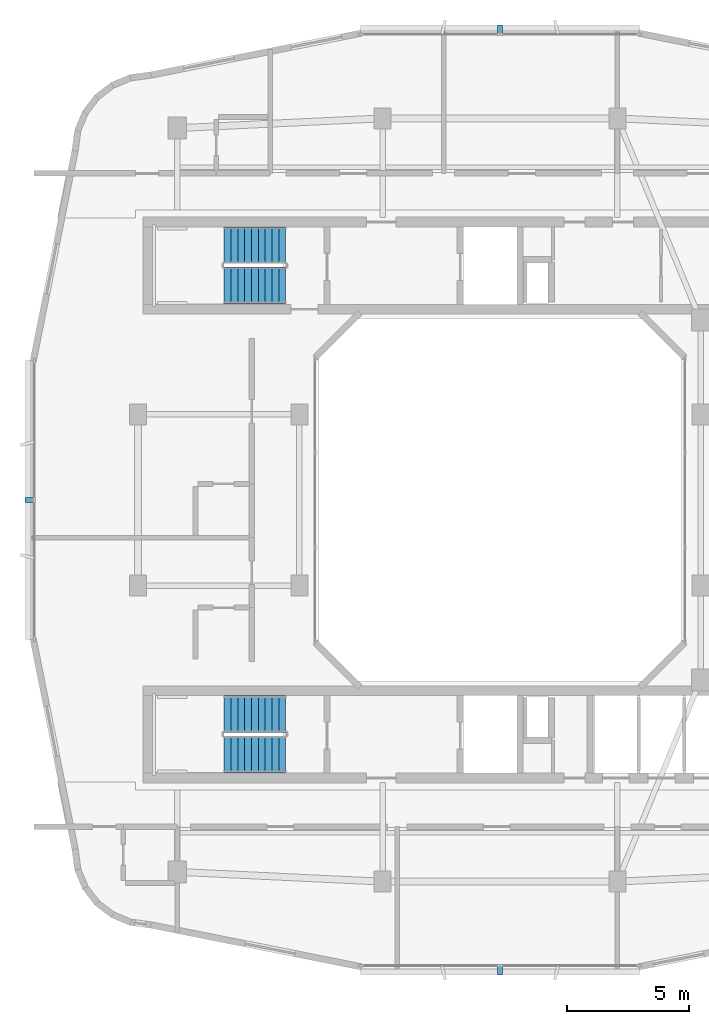
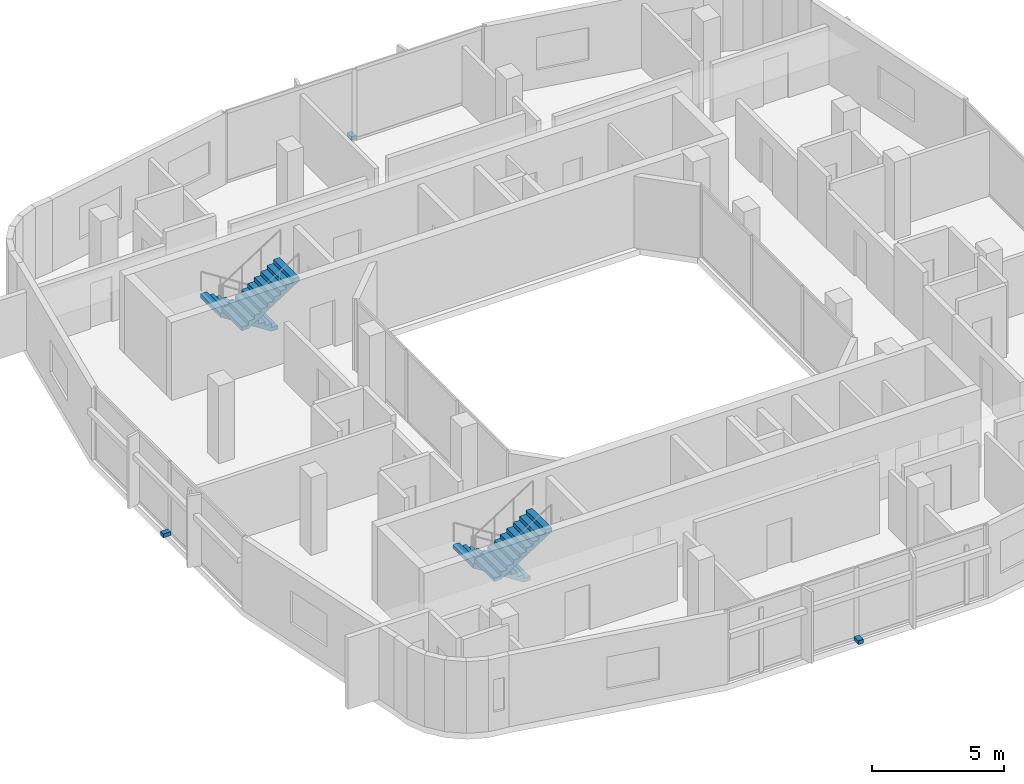
# One storey, part 10 of 14: 4 stair flights, 3 discrete accessories, 2 elements without a shape of their own.
"""IFC4 building model written with IfcOpenShell, lengths in metres."""

from ifc_helpers import new_model, si_unit, derived_unit, direction, frame, origin, origin_2d, place, context, subcontext, project, spatial, polyline, rectangle, outline, extrude, material, type_object, element, aggregate, save


model = new_model("IFC4")

# Units and contexts
model_context = context("Model", 3, precision=1e-05, world=origin(), true_north=direction((0.0, 1.0)))
body_context = subcontext(model_context, "Body", "Model", "MODEL_VIEW")
ifc_project = project(units=[si_unit("LENGTHUNIT", "METRE"), si_unit("AREAUNIT", "SQUARE_METRE"), si_unit("VOLUMEUNIT", "CUBIC_METRE"), si_unit("PLANEANGLEUNIT", "RADIAN"), si_unit("MASSUNIT", "GRAM", prefix="KILO"), derived_unit("THERMALTRANSMITTANCEUNIT", [(si_unit("POWERUNIT", "WATT"), 1), (si_unit("LENGTHUNIT", "METRE"), -2), (si_unit("THERMODYNAMICTEMPERATUREUNIT", "KELVIN"), -1)])], contexts=[model_context])

# Site, building, storey
site_placement = place(None, origin())
site = spatial("IfcSite", under=ifc_project, at=site_placement, CompositionType="ELEMENT")
building_placement = place(site_placement, origin())
building = spatial("IfcBuilding", under=site, at=building_placement, Name="Kivonza Crest Hotel", CompositionType="ELEMENT")
storey_placement = place(building_placement, frame((0.0, 0.0, 213.5)))
storey = spatial("IfcBuildingStorey", under=building, at=storey_placement, Name="L58", CompositionType="ELEMENT", Elevation=213.5)

# Stair, stair flights
ifc_material_1 = material(Name="Concrete C40/50", Category="concrete")
stair_type = type_object("IfcStairType", Name="ST-DL-20R", PredefinedType="HALF_TURN_STAIR", material=ifc_material_1)
stair_1_placement = place(storey_placement, origin())
stair_1 = element("IfcStair", 1, at=stair_1_placement, inside=storey, type_object=stair_type, Name="L58 Protected Exit Stair ST-T1-N", PredefinedType="HALF_TURN_STAIR")
stair_flight_type = type_object("IfcStairFlightType", Name="SFL-RC-10R", PredefinedType="STRAIGHT", material=ifc_material_1)
stair_flight_1_placement = place(storey_placement, frame((12.239990234375, 35.409912109375, 0.0), z_axis=(0.0, 0.0, 1.0), x_axis=(-1.0, 0.0, 0.0)))
stair_flight_1 = element("IfcStairFlight", 2, at=stair_flight_1_placement, type_object=stair_flight_type, Name="ST-T1-N flight 1", NumberOfRisers=10, NumberOfTreads=9, PredefinedType="STRAIGHT", RiserHeight=0.18, TreadLength=0.28, context=body_context, shape_type="SweptSolid", body=[
    extrude(outline(polyline([(0.0, 0.0), (0.0, 0.179931640625), (0.280029296875, 0.179931640625), (0.280029296875, 0.360107421875), (0.56005859375, 0.360107421875), (0.56005859375, 0.5400390625), (0.840087890625, 0.5400390625), (0.840087890625, 0.719970703125), (1.1201171875, 0.719970703125), (1.1201171875, 0.89990234375), (1.39990234375, 0.89990234375), (1.39990234375, 1.080078125), (1.679931640625, 1.080078125), (1.679931640625, 1.260009765625), (1.9599609375, 1.260009765625), (1.9599609375, 1.43994140625), (2.239990234375, 1.43994140625), (2.239990234375, 1.6201171875), (2.52001953125, 1.6201171875), (2.52001953125, 1.800048828125), (2.52001953125, 1.44189453125), (0.277099609375, 0.0), (0.0, 0.0)])), frame((0.0, 0.75, 0.0), z_axis=(0.0, -1.0, 0.0), x_axis=(1.0, 0.0, 0.0)), (0.0, 0.0, 1.0), 1.5),
])
stair_flight_2_placement = place(storey_placement, frame((9.719970703125, 33.77001953125, 1.800048828125), z_axis=(0.0, 0.0, 1.0), x_axis=(1.0, 0.0, 0.0)))
stair_flight_2 = element("IfcStairFlight", 3, at=stair_flight_2_placement, type_object=stair_flight_type, Name="ST-T1-N flight 2", NumberOfRisers=10, NumberOfTreads=9, PredefinedType="STRAIGHT", RiserHeight=0.18, TreadLength=0.28, context=body_context, shape_type="SweptSolid", body=[
    extrude(outline(polyline([(0.0, 0.0), (0.0, 0.179931640625), (0.280029296875, 0.179931640625), (0.280029296875, 0.360107421875), (0.56005859375, 0.360107421875), (0.56005859375, 0.5400390625), (0.840087890625, 0.5400390625), (0.840087890625, 0.719970703125), (1.1201171875, 0.719970703125), (1.1201171875, 0.89990234375), (1.39990234375, 0.89990234375), (1.39990234375, 1.080078125), (1.679931640625, 1.080078125), (1.679931640625, 1.260009765625), (1.9599609375, 1.260009765625), (1.9599609375, 1.43994140625), (2.239990234375, 1.43994140625), (2.239990234375, 1.6201171875), (2.52001953125, 1.6201171875), (2.52001953125, 1.800048828125), (2.52001953125, 1.44189453125), (0.277099609375, 0.0), (0.0, 0.0)])), frame((0.0, 0.75, 0.0), z_axis=(0.0, -1.0, 0.0), x_axis=(1.0, 0.0, 0.0)), (0.0, 0.0, 1.0), 1.5),
])
aggregate(stair_1, [stair_flight_1, stair_flight_2])

stair_2_placement = place(storey_placement, origin())
stair_2 = element("IfcStair", 4, at=stair_2_placement, inside=storey, type_object=stair_type, Name="L58 Protected Exit Stair ST-T1-S", PredefinedType="HALF_TURN_STAIR")
stair_flight_3_placement = place(storey_placement, frame((12.239990234375, 16.25, 0.0), z_axis=(0.0, 0.0, 1.0), x_axis=(-1.0, 0.0, 0.0)))
stair_flight_3 = element("IfcStairFlight", 5, at=stair_flight_3_placement, type_object=stair_flight_type, Name="ST-T1-S flight 1", NumberOfRisers=10, NumberOfTreads=9, PredefinedType="STRAIGHT", RiserHeight=0.18, TreadLength=0.28, context=body_context, shape_type="SweptSolid", body=[
    extrude(outline(polyline([(0.0, 0.0), (0.0, 0.179931640625), (0.280029296875, 0.179931640625), (0.280029296875, 0.360107421875), (0.56005859375, 0.360107421875), (0.56005859375, 0.5400390625), (0.840087890625, 0.5400390625), (0.840087890625, 0.719970703125), (1.1201171875, 0.719970703125), (1.1201171875, 0.89990234375), (1.39990234375, 0.89990234375), (1.39990234375, 1.080078125), (1.679931640625, 1.080078125), (1.679931640625, 1.260009765625), (1.9599609375, 1.260009765625), (1.9599609375, 1.43994140625), (2.239990234375, 1.43994140625), (2.239990234375, 1.6201171875), (2.52001953125, 1.6201171875), (2.52001953125, 1.800048828125), (2.52001953125, 1.44189453125), (0.277099609375, 0.0), (0.0, 0.0)])), frame((0.0, 0.75, 0.0), z_axis=(0.0, -1.0, 0.0), x_axis=(1.0, 0.0, 0.0)), (0.0, 0.0, 1.0), 1.5),
])
stair_flight_4_placement = place(storey_placement, frame((9.719970703125, 14.610107421875, 1.800048828125), z_axis=(0.0, 0.0, 1.0), x_axis=(1.0, 0.0, 0.0)))
stair_flight_4 = element("IfcStairFlight", 6, at=stair_flight_4_placement, type_object=stair_flight_type, Name="ST-T1-S flight 2", NumberOfRisers=10, NumberOfTreads=9, PredefinedType="STRAIGHT", RiserHeight=0.18, TreadLength=0.28, context=body_context, shape_type="SweptSolid", body=[
    extrude(outline(polyline([(0.0, 0.0), (0.0, 0.179931640625), (0.280029296875, 0.179931640625), (0.280029296875, 0.360107421875), (0.56005859375, 0.360107421875), (0.56005859375, 0.5400390625), (0.840087890625, 0.5400390625), (0.840087890625, 0.719970703125), (1.1201171875, 0.719970703125), (1.1201171875, 0.89990234375), (1.39990234375, 0.89990234375), (1.39990234375, 1.080078125), (1.679931640625, 1.080078125), (1.679931640625, 1.260009765625), (1.9599609375, 1.260009765625), (1.9599609375, 1.43994140625), (2.239990234375, 1.43994140625), (2.239990234375, 1.6201171875), (2.52001953125, 1.6201171875), (2.52001953125, 1.800048828125), (2.52001953125, 1.44189453125), (0.277099609375, 0.0), (0.0, 0.0)])), frame((0.0, 0.75, 0.0), z_axis=(0.0, -1.0, 0.0), x_axis=(1.0, 0.0, 0.0)), (0.0, 0.0, 1.0), 1.5),
])
aggregate(stair_2, [stair_flight_3, stair_flight_4])

# Discrete accessories
ifc_material_2 = material(Name="Stainless steel 316", Category="steel")
discrete_accessory_type = type_object("IfcDiscreteAccessoryType", Name="AC-BRACKET-240", PredefinedType="BRACKET", material=ifc_material_2)
for number, where, z_axis, x_axis, name in (
    (7, (21.0, 5.760009765625, -0.009765625), (0.0, 0.0, 1.0), (1.0, 0.0, 0.0), "L58 terracotta baguette support bracket CW-T1-L58-08"),
    (8, (21.0, 44.239990234375, -0.009765625), (0.0, 0.0, 1.0), (-1.0, 0.0, 0.0), "L58 terracotta baguette support bracket CW-T1-L58-26"),
    (9, (1.760009765625, 25.0, -0.009765625), (0.0, 0.0, 1.0), (0.0, -1.0, 0.0), "L58 terracotta baguette support bracket CW-T1-L58-35"),
):
    element("IfcDiscreteAccessory", number, at=place(storey_placement, frame(where, z_axis=z_axis, x_axis=x_axis)), inside=storey, type_object=discrete_accessory_type, Name=name, PredefinedType="BRACKET", context=body_context, shape_type="SweptSolid", body=[
        extrude(rectangle(XDim=0.219970703125, YDim=0.340087890625, at=origin_2d()), origin(), (0.0, 0.0, 1.0), 0.179931640625),
    ])

save(model, "model.ifc")
